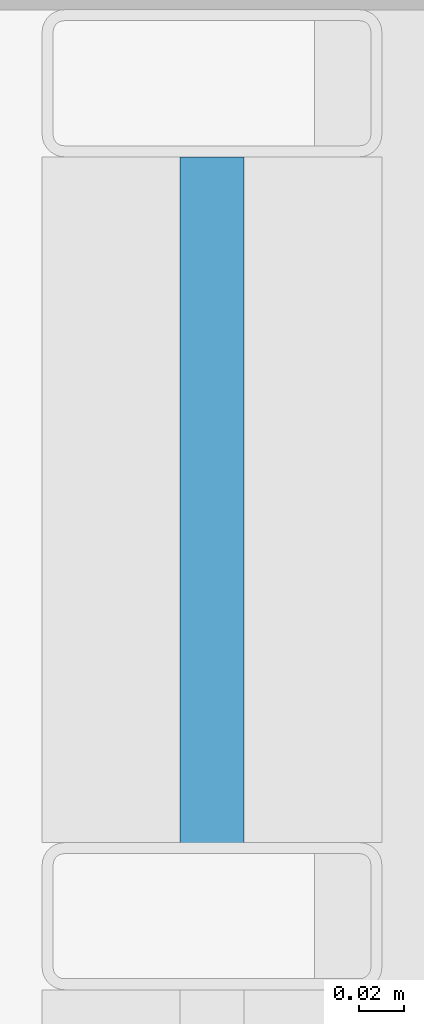
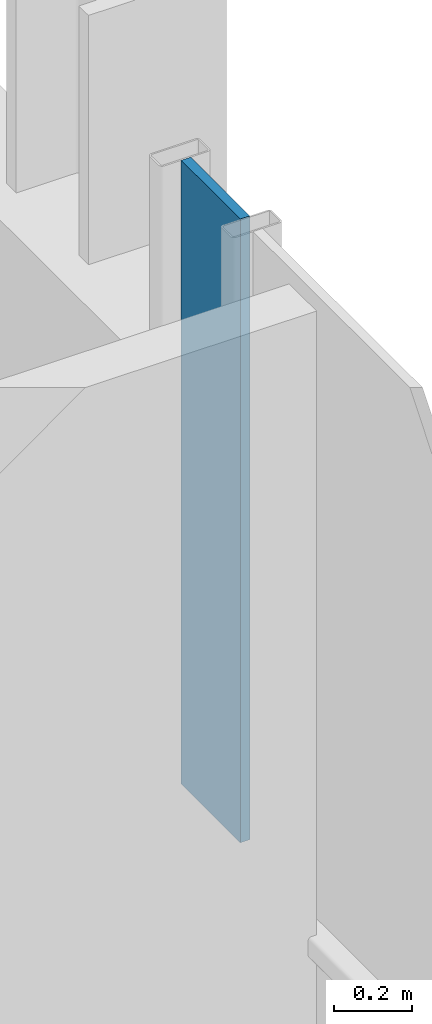
# One storey, part 30 of 41: 1 plate, 1 element without a shape of its own.
"""IFC4 building model written with IfcOpenShell, lengths in metres."""

import ifcopenshell
import ifcopenshell.guid

model = None  # the IFC model being written
_history = None  # IfcOwnerHistory: only IFC2X3 demands one
_inside = {}  # id of a spatial element -> (the spatial element, [elements in it])
_under = {}  # id of a project, library or spatial element -> (it, [spatial elements below it])
_declared = {}  # id of a project -> (the project, [libraries it declares])
_typed = {}  # id of a type object -> (the type object, [elements of that type])
_made_of = {}  # id of a material, layer set ... -> (it, [elements and type objects made of it])


def new_model(schema):
    """Start an empty IFC model of exactly this schema.

    Asked for "IFC4X3", IfcOpenShell would pick the latest addendum, in which some entities
    have other attributes; the version numbers below select the first issue.
    IFC2X3 requires an IfcOwnerHistory on every rooted entity: one is made here for all.
    """
    global model, _history
    if schema == "IFC4X3":
        model = ifcopenshell.file(schema_version=(4, 3, 0, 0))
    else:
        model = ifcopenshell.file(schema=schema)
    _inside.clear()
    _under.clear()
    _declared.clear()
    _typed.clear()
    _made_of.clear()
    _history = None
    if model.schema == "IFC2X3":
        org = make("IfcOrganization", Name="unknown")
        user = make(
            "IfcPersonAndOrganization",
            ThePerson=make("IfcPerson", FamilyName="unknown"),
            TheOrganization=org,
        )
        app = make(
            "IfcApplication",
            ApplicationDeveloper=org,
            Version="unknown",
            ApplicationFullName="unknown",
            ApplicationIdentifier="unknown",
        )
        _history = make(
            "IfcOwnerHistory",
            OwningUser=user,
            OwningApplication=app,
            ChangeAction="ADDED",
            CreationDate=0,
        )
    return model


def make(cls, **values):
    """One entity of the class cls with the attributes given. An attribute that is None is left unset."""
    return model.create_entity(
        cls, **{name: value for name, value in values.items() if value is not None}
    )


def rooted(cls, **values):
    """An entity with a GlobalId (a new one), such as an element, a storey or a relation."""
    return make(cls, GlobalId=ifcopenshell.guid.new(), OwnerHistory=_history, **values)


def si_unit(unit_type, name, prefix=None):
    """IfcSIUnit, for example si_unit("LENGTHUNIT", "METRE", prefix="MILLI")."""
    return make("IfcSIUnit", UnitType=unit_type, Prefix=prefix, Name=name)


def assignment(units):
    """IfcUnitAssignment: the units of a project."""
    return None if units is None else make("IfcUnitAssignment", Units=units)


def point(xyz):
    """IfcCartesianPoint."""
    return None if xyz is None else make("IfcCartesianPoint", Coordinates=xyz)


def direction(xyz):
    """IfcDirection."""
    return None if xyz is None else make("IfcDirection", DirectionRatios=xyz)


def frame(location, z_axis=None, x_axis=None):
    """IfcAxis2Placement3D, a coordinate frame: its origin and axes. An axis left out is left unset."""
    return make(
        "IfcAxis2Placement3D",
        Location=point(location),
        Axis=direction(z_axis),
        RefDirection=direction(x_axis),
    )


def frame_2d(location, x_axis=None):
    """IfcAxis2Placement2D, a coordinate frame in the plane: its origin and x axis."""
    return make(
        "IfcAxis2Placement2D", Location=point(location), RefDirection=direction(x_axis)
    )


def origin():
    """The frame at (0, 0, 0) with its axes left unset."""
    return frame((0.0, 0.0, 0.0))


def origin_2d():
    """The frame at (0, 0) in the plane with its x axis left unset."""
    return frame_2d((0.0, 0.0))


def place(relative_to, where):
    """IfcLocalPlacement: puts the frame where relative to a parent placement (None: the world)."""
    return make(
        "IfcLocalPlacement", PlacementRelTo=relative_to, RelativePlacement=where
    )


def context(
    kind, dimensions, precision=None, world=None, true_north=None, identifier=None
):
    """IfcGeometricRepresentationContext, for example the 3D "Model" context."""
    return make(
        "IfcGeometricRepresentationContext",
        ContextIdentifier=identifier,
        ContextType=kind,
        CoordinateSpaceDimension=dimensions,
        Precision=precision,
        WorldCoordinateSystem=world,
        TrueNorth=true_north,
    )


def subcontext(parent, identifier, kind, view, scale=None):
    """IfcGeometricRepresentationSubContext, for example "Body" below "Model"."""
    return make(
        "IfcGeometricRepresentationSubContext",
        ContextIdentifier=identifier,
        ContextType=kind,
        ParentContext=parent,
        TargetScale=scale,
        TargetView=view,
    )


def project(units=None, contexts=None):
    """IfcProject with its units and contexts."""
    return rooted(
        "IfcProject",
        Name="project",
        RepresentationContexts=contexts,
        UnitsInContext=assignment(units),
    )


def spatial(cls, under=None, at=None, **own):
    """A site, building, storey or space (cls), placed at a placement, below another one or the project."""
    s = rooted(cls, ObjectPlacement=at, **own)
    if under is not None:
        _under.setdefault(under.id(), (under, []))[1].append(s)
    return s


def profile(cls, at=None, kind="AREA", **sizes):
    """A parametric profile (cls). Its sizes go by their IFC names, for example OverallWidth=200.0."""
    return make(cls, ProfileType=kind, Position=at, **sizes)


def rectangle(**sizes):
    """IfcRectangleProfileDef."""
    return profile("IfcRectangleProfileDef", **sizes)


def extrude(swept, where, along, depth):
    """IfcExtrudedAreaSolid: the profile swept, set in the frame where, extruded along a direction by depth."""
    return make(
        "IfcExtrudedAreaSolid",
        SweptArea=swept,
        Position=where,
        ExtrudedDirection=direction(along),
        Depth=depth,
    )


def shape(context_of_items, identifier, shape_type, items):
    """IfcShapeRepresentation: the items that make up one representation, for example the "Body"."""
    return make(
        "IfcShapeRepresentation",
        ContextOfItems=context_of_items,
        RepresentationIdentifier=identifier,
        RepresentationType=shape_type,
        Items=items,
    )


def material(Name=None, Category=None):
    """IfcMaterial."""
    return make("IfcMaterial", Name=Name, Category=Category)


def layer(
    of_material, thickness, ventilated=None, Name=None, Category=None, Priority=None
):
    """IfcMaterialLayer: one layer of a wall or slab, of a material (None: an air gap)."""
    return make(
        "IfcMaterialLayer",
        Material=of_material,
        LayerThickness=thickness,
        IsVentilated=ventilated,
        Name=Name,
        Category=Category,
        Priority=Priority,
    )


def layer_set(layers, Name=None):
    """IfcMaterialLayerSet."""
    return make("IfcMaterialLayerSet", MaterialLayers=layers, LayerSetName=Name)


def made_of(thing, what):
    """Note that an element or type object is made of a material, layer set ...; save() writes the relation."""
    if what is not None:
        _made_of.setdefault(what.id(), (what, []))[1].append(thing)
    return thing


def type_object(cls, material=None, **own):
    """A type object (cls), such as IfcWallType, which elements share."""
    return made_of(rooted(cls, **own), material)


def element(
    cls,
    number,
    at=None,
    inside=None,
    cuts=None,
    type_object=None,
    material=None,
    context=None,
    identifier="Body",
    shape_type=None,
    held_by="IfcProductDefinitionShape",
    body=None,
    shapes=None,
    **own,
):
    """One element of the class cls, such as IfcWall. Its Tag is "e" and its number.

    at: its placement. inside: the storey or other place that contains it. cuts: it is an
    opening in that element (IfcRelVoidsElement). A single representation is given by context,
    identifier, shape_type and body (its items); several are given by shapes. held_by: the class
    of the entity that holds the representations. save() writes the other relations.
    """
    e = rooted(cls, Tag="e%d" % number, ObjectPlacement=at, **own)
    if body is not None:
        shapes = [shape(context, identifier, shape_type, body)]
    if shapes is not None:
        e.Representation = make(held_by, Representations=shapes)
    if inside is not None:
        _inside.setdefault(inside.id(), (inside, []))[1].append(e)
    if cuts is not None:
        rooted(
            "IfcRelVoidsElement", RelatingBuildingElement=cuts, RelatedOpeningElement=e
        )
    if type_object is not None:
        _typed.setdefault(type_object.id(), (type_object, []))[1].append(e)
    return made_of(e, material)


def aggregate(whole, parts):
    """IfcRelAggregates: a whole, such as a stair, and the parts it consists of."""
    return rooted("IfcRelAggregates", RelatingObject=whole, RelatedObjects=parts)


def save(model, path):
    """Write the relations noted so far, then the file.

    IfcRelAggregates (storeys below a building ...), IfcRelContainedInSpatialStructure (elements
    in a storey), IfcRelDefinesByType, IfcRelAssociatesMaterial and IfcRelDeclares: one each for
    every whole, place, type object, material and project.
    """
    for whole, parts in _under.values():
        aggregate(whole, parts)
    for where, things in _inside.values():
        rooted(
            "IfcRelContainedInSpatialStructure",
            RelatedElements=things,
            RelatingStructure=where,
        )
    for kind, things in _typed.values():
        rooted("IfcRelDefinesByType", RelatedObjects=things, RelatingType=kind)
    for what, things in _made_of.values():
        rooted("IfcRelAssociatesMaterial", RelatedObjects=things, RelatingMaterial=what)
    for by, libraries in _declared.values():
        rooted("IfcRelDeclares", RelatingContext=by, RelatedDefinitions=libraries)
    model.write(path)


model = new_model("IFC4")

# Units and contexts
model_context = context("Model", 3, precision=1e-05, world=origin(), true_north=direction((0.0, 1.0)))
body_context = subcontext(model_context, "Body", "Model", "MODEL_VIEW")
ifc_project = project(units=[si_unit("LENGTHUNIT", "METRE"), si_unit("AREAUNIT", "SQUARE_METRE"), si_unit("VOLUMEUNIT", "CUBIC_METRE"), si_unit("PLANEANGLEUNIT", "RADIAN"), si_unit("MASSUNIT", "GRAM", prefix="KILO")], contexts=[model_context])

# Site, building, storey
site_placement = place(None, origin())
site = spatial("IfcSite", under=ifc_project, at=site_placement, CompositionType="ELEMENT")
building_placement = place(site_placement, origin())
building = spatial("IfcBuilding", under=site, at=building_placement, Name="Brevholm Reach", CompositionType="ELEMENT")
storey_placement = place(building_placement, frame((0.0, 0.0, 163.5)))
storey = spatial("IfcBuildingStorey", under=building, at=storey_placement, Name="L49", CompositionType="ELEMENT", Elevation=163.5)

# Curtain wall, plate
ifc_material_1 = material(Name="Dark Anodised Aluminium 6063-T6 and Solar-Control Glass", Category="aluminium")
ifc_layer_1 = layer(ifc_material_1, 0.14990234375)
ifc_layer_set_1 = layer_set([ifc_layer_1], Name="Dark Anodised Aluminium 6063-T6 and Solar-Control Glass")
curtain_wall_type = type_object("IfcCurtainWallType", Name="CW-01", PredefinedType="NOTDEFINED", material=ifc_layer_set_1)
curtain_wall_placement = place(storey_placement, origin())
curtain_wall = element("IfcCurtainWall", 1, at=curtain_wall_placement, inside=storey, type_object=curtain_wall_type, Name="L49 Curtain Wall CW-01", PredefinedType="NOTDEFINED")
ifc_material_2 = material(Name="Dark Solar-Control Double-Glazed IGU Glass", Category="glass")
ifc_layer_2 = layer(ifc_material_2, 0.028076171875)
ifc_layer_set_2 = layer_set([ifc_layer_2], Name="Dark Solar-Control Double-Glazed IGU Glass")
plate_type = type_object("IfcPlateType", Name="CWP-GLZ-28", PredefinedType="CURTAIN_PANEL", material=ifc_layer_set_2)
plate_placement = place(storey_placement, frame((59.85009765625, 22.733642578125, 0.9326171875), z_axis=(0.0, 0.0, 1.0), x_axis=(0.0, 1.0, 0.0)))
plate = element("IfcPlate", 2, at=plate_placement, type_object=plate_type, Name="CP-01 Glazing Panel 5.2", PredefinedType="CURTAIN_PANEL", context=body_context, shape_type="SweptSolid", body=[
    extrude(rectangle(XDim=0.302490234375, YDim=0.028076171875, at=origin_2d()), origin(), (0.0, 0.0, 1.0), 1.947509765625),
])
aggregate(curtain_wall, [plate])

save(model, "model.ifc")
